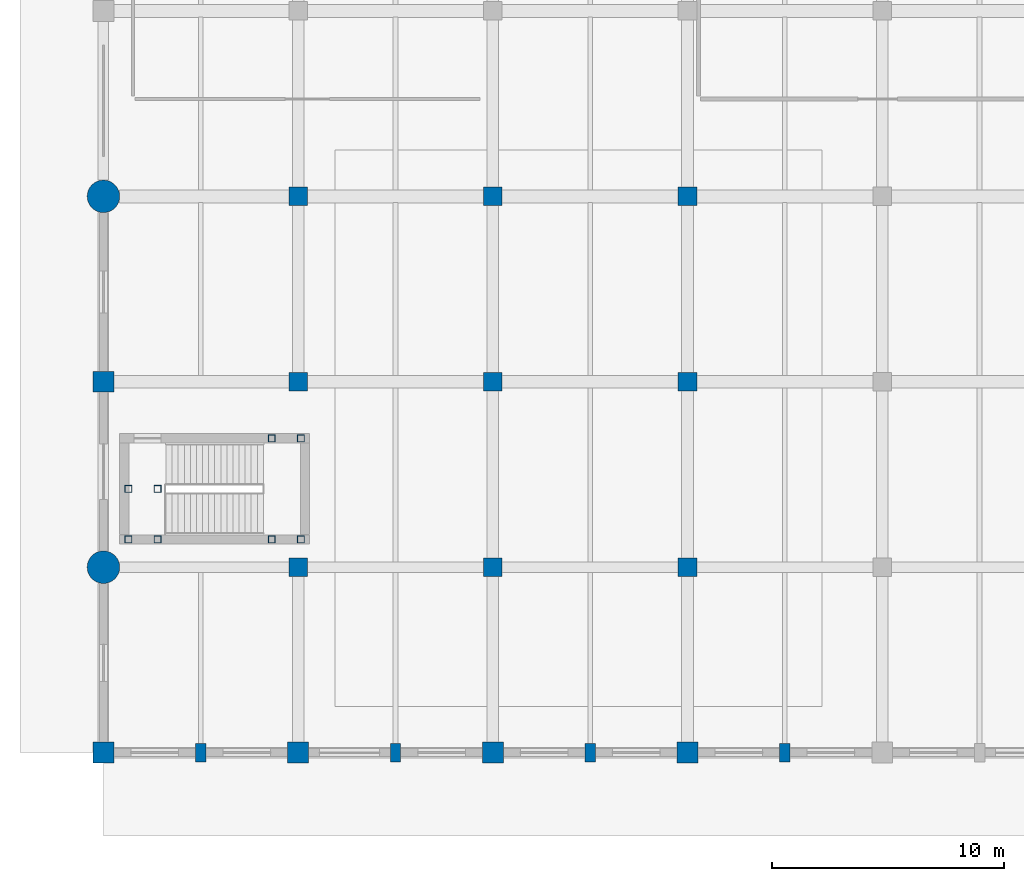
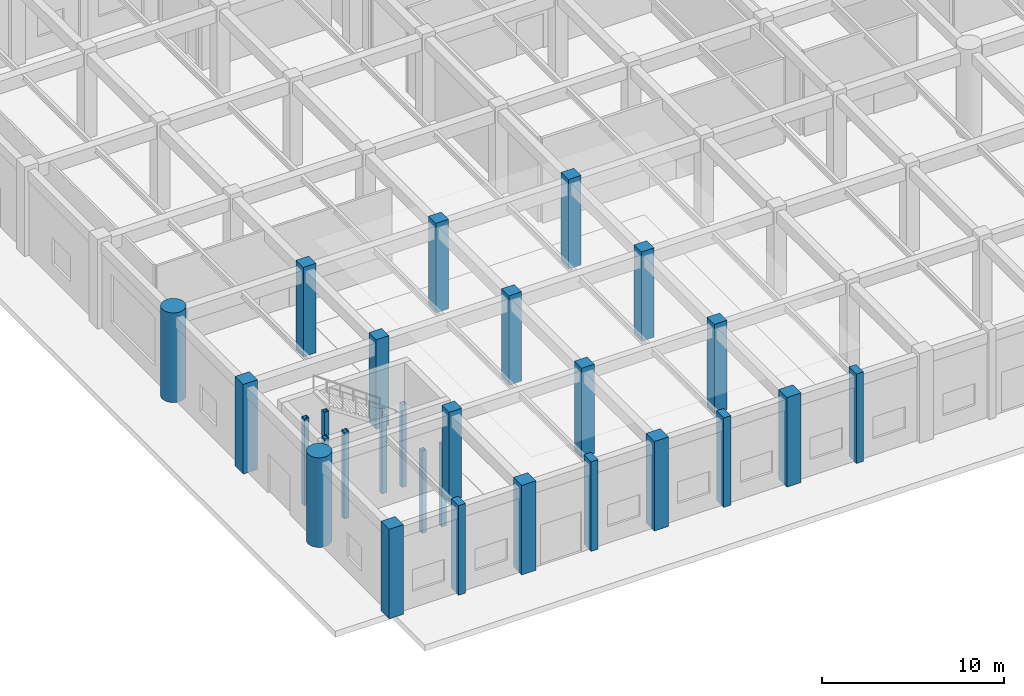
# One storey, part 1 of 76: 28 columns.
"""IFC4 building model written with IfcOpenShell, lengths in metres."""

from ifc_helpers import new_model, si_unit, direction, frame, origin, origin_2d, place, context, subcontext, project, spatial, rectangle, hollow_rectangle, circle, extrude, material, material_profile, profile_set, type_object, element, save


model = new_model("IFC4")

# Units and contexts
model_context = context("Model", 3, precision=1e-05, world=origin(), true_north=direction((0.0, 1.0)))
body_context = subcontext(model_context, "Body", "Model", "MODEL_VIEW")
ifc_project = project(units=[si_unit("LENGTHUNIT", "METRE"), si_unit("AREAUNIT", "SQUARE_METRE"), si_unit("VOLUMEUNIT", "CUBIC_METRE"), si_unit("PLANEANGLEUNIT", "RADIAN"), si_unit("MASSUNIT", "GRAM", prefix="KILO")], contexts=[model_context])

# Site, building, storey
site_placement = place(None, origin())
site = spatial("IfcSite", under=ifc_project, at=site_placement, CompositionType="ELEMENT")
building_placement = place(site_placement, origin())
building = spatial("IfcBuilding", under=site, at=building_placement, Name="Naruveol Harbour Congress Hotel", CompositionType="ELEMENT")
storey_placement = place(building_placement, origin())
storey = spatial("IfcBuildingStorey", under=building, at=storey_placement, Name="L00", CompositionType="ELEMENT", Elevation=0.0)

# Columns
ifc_material_1 = material(Name="Concrete C50/60", Category="concrete")
ifc_material_profile_1 = material_profile(ifc_material_1, rectangle(XDim=0.449951171875, YDim=0.800048828125, at=origin_2d()), Name="RC-450x800")
ifc_profile_set_1 = profile_set([ifc_material_profile_1], Name="Concrete C50/60")
column_type_1 = type_object("IfcColumnType", Name="RC ACOUSTIC WALL PILASTER 450X800", PredefinedType="PILASTER", material=ifc_profile_set_1)
for number, where, z_axis, x_axis, name in (
    (1, (4.199951171875, 0.0, 0.0), (0.0, 0.0, 1.0), (1.0, 0.0, 0.0), "Column PL-450 L00 (4.2,0.0)"),
    (2, (12.60009765625, 0.0, 0.0), (0.0, 0.0, 1.0), (1.0, 0.0, 0.0), "Column PL-450 L00 (12.6,0.0)"),
    (3, (21.0, 0.0, 0.0), (0.0, 0.0, 1.0), (1.0, 0.0, 0.0), "Column PL-450 L00 (21.0,0.0)"),
    (4, (29.39990234375, 0.0, 0.0), (0.0, 0.0, 1.0), (1.0, 0.0, 0.0), "Column PL-450 L00 (29.4,0.0)"),
):
    element("IfcColumn", number, at=place(storey_placement, frame(where, z_axis=z_axis, x_axis=x_axis)), inside=storey, type_object=column_type_1, Name=name, PredefinedType="PILASTER", context=body_context, shape_type="SweptSolid", body=[
        extrude(rectangle(XDim=0.449951171875, YDim=0.800048828125, at=origin_2d()), origin(), (0.0, 0.0, 1.0), 6.0),
    ])
ifc_material_2 = material(Name="Concrete C50/60", Category="concrete")
ifc_material_profile_2 = material_profile(ifc_material_2, circle(Radius=0.699951171875, at=origin_2d()), Name="RC-D1400")
ifc_profile_set_2 = profile_set([ifc_material_profile_2], Name="Concrete C50/60")
column_type_2 = type_object("IfcColumnType", Name="RC MEGA COLUMN D1400", PredefinedType="COLUMN", material=ifc_profile_set_2)
for number, where, z_axis, x_axis, name in (
    (5, (0.0, 8.0, 0.0), (0.0, 0.0, 1.0), (1.0, 0.0, 0.0), "Column C-MD1400 L00 (0.0,8.0)"),
    (6, (0.0, 24.0, 0.0), (0.0, 0.0, 1.0), (1.0, 0.0, 0.0), "Column C-MD1400 L00 (0.0,24.0)"),
):
    element("IfcColumn", number, at=place(storey_placement, frame(where, z_axis=z_axis, x_axis=x_axis)), inside=storey, type_object=column_type_2, Name=name, PredefinedType="COLUMN", context=body_context, shape_type="SweptSolid", body=[
        extrude(circle(Radius=0.699951171875, at=origin_2d()), origin(), (0.0, 0.0, 1.0), 6.0),
    ])
ifc_material_3 = material(Name="Concrete C50/60", Category="concrete")
ifc_material_profile_3 = material_profile(ifc_material_3, rectangle(XDim=0.800048828125, YDim=0.800048828125, at=origin_2d()), Name="RC-800x800")
ifc_profile_set_3 = profile_set([ifc_material_profile_3], Name="Concrete C50/60")
column_type_3 = type_object("IfcColumnType", Name="RC PODIUM COLUMN 800X800", PredefinedType="COLUMN", material=ifc_profile_set_3)
for number, where, z_axis, x_axis, name in (
    (7, (8.39990234375, 8.0, 0.0), (0.0, 0.0, 1.0), (1.0, 0.0, 0.0), "Column C-800 L00 (8.4,8.0)"),
    (8, (8.39990234375, 16.0, 0.0), (0.0, 0.0, 1.0), (1.0, 0.0, 0.0), "Column C-800 L00 (8.4,16.0)"),
    (9, (8.39990234375, 24.0, 0.0), (0.0, 0.0, 1.0), (1.0, 0.0, 0.0), "Column C-800 L00 (8.4,24.0)"),
    (10, (16.800048828125, 8.0, 0.0), (0.0, 0.0, 1.0), (1.0, 0.0, 0.0), "Column C-800 L00 (16.8,8.0)"),
    (11, (16.800048828125, 16.0, 0.0), (0.0, 0.0, 1.0), (1.0, 0.0, 0.0), "Column C-800 L00 (16.8,16.0)"),
    (12, (16.800048828125, 24.0, 0.0), (0.0, 0.0, 1.0), (1.0, 0.0, 0.0), "Column C-800 L00 (16.8,24.0)"),
    (13, (25.199951171875, 8.0, 0.0), (0.0, 0.0, 1.0), (1.0, 0.0, 0.0), "Column C-800 L00 (25.2,8.0)"),
    (14, (25.199951171875, 16.0, 0.0), (0.0, 0.0, 1.0), (1.0, 0.0, 0.0), "Column C-800 L00 (25.2,16.0)"),
    (15, (25.199951171875, 24.0, 0.0), (0.0, 0.0, 1.0), (1.0, 0.0, 0.0), "Column C-800 L00 (25.2,24.0)"),
):
    element("IfcColumn", number, at=place(storey_placement, frame(where, z_axis=z_axis, x_axis=x_axis)), inside=storey, type_object=column_type_3, Name=name, PredefinedType="COLUMN", context=body_context, shape_type="SweptSolid", body=[
        extrude(rectangle(XDim=0.800048828125, YDim=0.800048828125, at=origin_2d()), origin(), (0.0, 0.0, 1.0), 6.0),
    ])
ifc_material_4 = material(Name="Concrete C50/60", Category="concrete")
ifc_material_profile_4 = material_profile(ifc_material_4, rectangle(XDim=0.89990234375, YDim=0.89990234375, at=origin_2d()), Name="RC-900x900")
ifc_profile_set_4 = profile_set([ifc_material_profile_4], Name="Concrete C50/60")
column_type_4 = type_object("IfcColumnType", Name="RC PRIMARY COLUMN 900X900", PredefinedType="COLUMN", material=ifc_profile_set_4)
for number, where, z_axis, x_axis, name in (
    (16, (0.0, 0.0, 0.0), (0.0, 0.0, 1.0), (1.0, 0.0, 0.0), "Column C-900 L00 (0.0,0.0)"),
    (17, (0.0, 16.0, 0.0), (0.0, 0.0, 1.0), (1.0, 0.0, 0.0), "Column C-900 L00 (0.0,16.0)"),
    (18, (8.39990234375, 0.0, 0.0), (0.0, 0.0, 1.0), (1.0, 0.0, 0.0), "Column C-900 L00 (8.4,0.0)"),
    (19, (16.800048828125, 0.0, 0.0), (0.0, 0.0, 1.0), (1.0, 0.0, 0.0), "Column C-900 L00 (16.8,0.0)"),
    (20, (25.199951171875, 0.0, 0.0), (0.0, 0.0, 1.0), (1.0, 0.0, 0.0), "Column C-900 L00 (25.2,0.0)"),
):
    element("IfcColumn", number, at=place(storey_placement, frame(where, z_axis=z_axis, x_axis=x_axis)), inside=storey, type_object=column_type_4, Name=name, PredefinedType="COLUMN", context=body_context, shape_type="SweptSolid", body=[
        extrude(rectangle(XDim=0.89990234375, YDim=0.89990234375, at=origin_2d()), origin(), (0.0, 0.0, 1.0), 6.0),
    ])
ifc_material_5 = material(Name="Steel SN490", Category="steel")
ifc_material_profile_5 = material_profile(ifc_material_5, hollow_rectangle(XDim=0.300048828125, YDim=0.300048828125, WallThickness=0.011962890625, at=origin_2d()), Name="SHS-300x300x12")
ifc_profile_set_5 = profile_set([ifc_material_profile_5], Name="Steel SN490")
column_type_5 = type_object("IfcColumnType", Name="STEEL COLONNADE POST SHS300", PredefinedType="COLUMN", material=ifc_profile_set_5)
for number, where, z_axis, x_axis, name in (
    (21, (1.080078125, 9.199951171875, 0.0), (0.0, 0.0, 1.0), (1.0, 0.0, 0.0), "Stair landing support post ST5W #338"),
    (22, (1.080078125, 11.3798828125, 0.0), (0.0, 0.0, 1.0), (1.0, 0.0, 0.0), "Stair landing support post ST5W #341"),
    (23, (2.340087890625, 9.199951171875, 0.0), (0.0, 0.0, 1.0), (1.0, 0.0, 0.0), "Stair landing support post ST5W #344"),
    (24, (2.340087890625, 11.3798828125, 0.0), (0.0, 0.0, 1.0), (1.0, 0.0, 0.0), "Stair landing support post ST5W #347"),
):
    element("IfcColumn", number, at=place(storey_placement, frame(where, z_axis=z_axis, x_axis=x_axis)), inside=storey, type_object=column_type_5, Name=name, PredefinedType="COLUMN", context=body_context, shape_type="SweptSolid", body=[
        extrude(hollow_rectangle(XDim=0.300048828125, YDim=0.300048828125, WallThickness=0.011962890625, at=origin_2d()), origin(), (0.0, 0.0, 1.0), 5.820068359375),
    ])
for number, where, z_axis, x_axis, name in (
    (25, (7.260009765625, 9.199951171875, -2.699951171875), (0.0, 0.0, 1.0), (1.0, 0.0, 0.0), "Stair landing support post ST5E #350"),
    (26, (7.260009765625, 13.56005859375, -2.699951171875), (0.0, 0.0, 1.0), (1.0, 0.0, 0.0), "Stair landing support post ST5E #353"),
    (27, (8.52001953125, 9.199951171875, -2.699951171875), (0.0, 0.0, 1.0), (1.0, 0.0, 0.0), "Stair landing support post ST5E #356"),
    (28, (8.52001953125, 13.56005859375, -2.699951171875), (0.0, 0.0, 1.0), (1.0, 0.0, 0.0), "Stair landing support post ST5E #359"),
):
    element("IfcColumn", number, at=place(storey_placement, frame(where, z_axis=z_axis, x_axis=x_axis)), inside=storey, type_object=column_type_5, Name=name, PredefinedType="COLUMN", context=body_context, shape_type="SweptSolid", body=[
        extrude(hollow_rectangle(XDim=0.300048828125, YDim=0.300048828125, WallThickness=0.011962890625, at=origin_2d()), origin(), (0.0, 0.0, 1.0), 5.52001953125),
    ])

save(model, "model.ifc")
